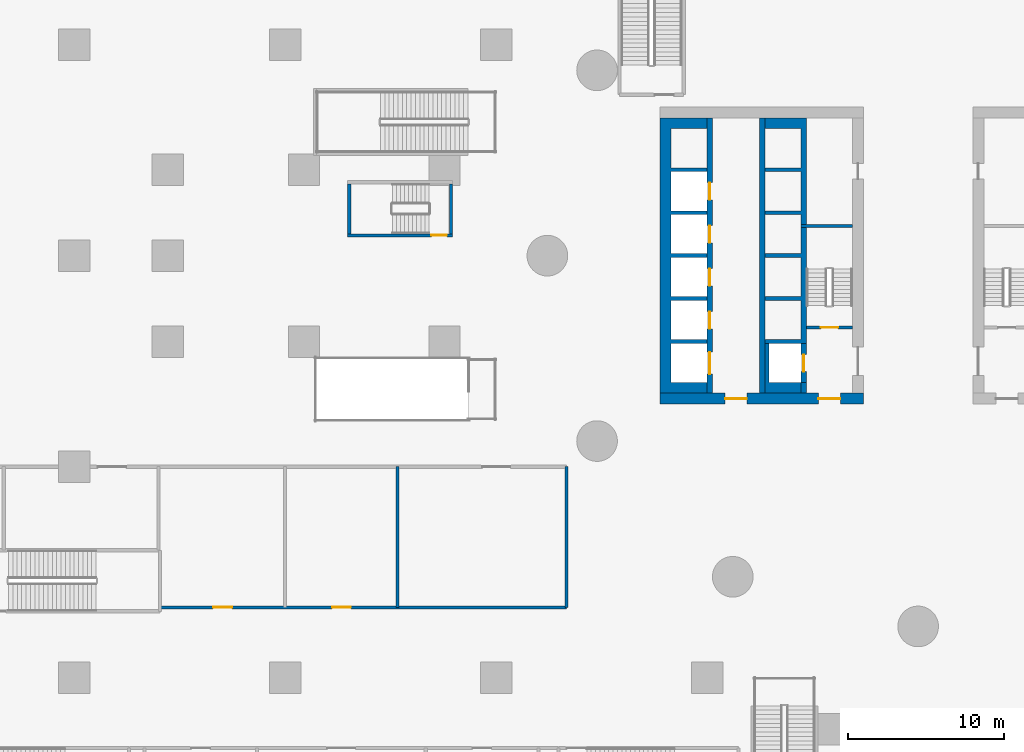
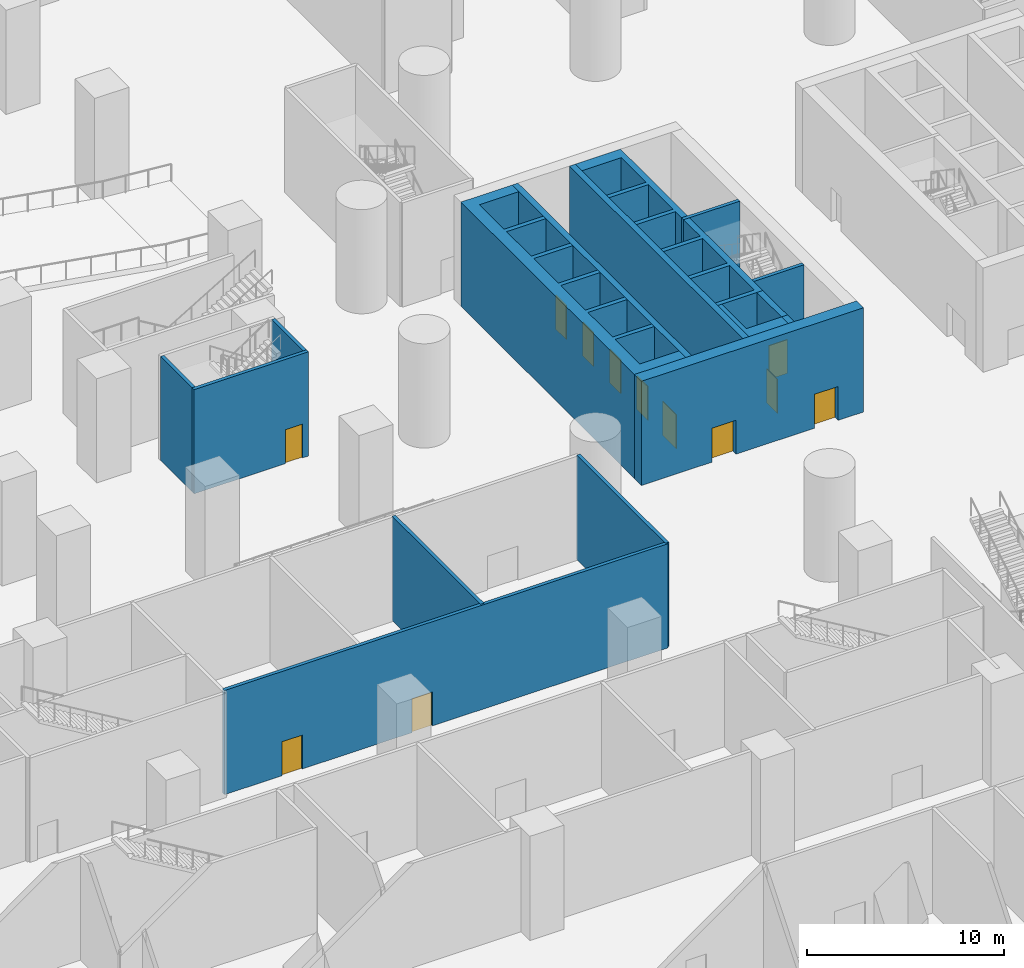
# One storey, part 5 of 37: 16 walls, 12 doors, 12 openings.
"""IFC4 building model written with IfcOpenShell, lengths in metres."""

from ifc_helpers import new_model, si_unit, direction, frame, frame_2d, origin, place, context, subcontext, project, spatial, polyline, rectangle, outline, extrude, material, layer, layer_set, type_object, element, fill, save


model = new_model("IFC4")

# Units and contexts
model_context = context("Model", 3, precision=1e-05, world=origin(), true_north=direction((0.0, 1.0)))
body_context = subcontext(model_context, "Body", "Model", "MODEL_VIEW")
ifc_project = project(units=[si_unit("LENGTHUNIT", "METRE"), si_unit("AREAUNIT", "SQUARE_METRE"), si_unit("VOLUMEUNIT", "CUBIC_METRE"), si_unit("PLANEANGLEUNIT", "RADIAN"), si_unit("MASSUNIT", "GRAM", prefix="KILO")], contexts=[model_context])

# Site, building, storey
site_placement = place(None, origin())
site = spatial("IfcSite", under=ifc_project, at=site_placement, CompositionType="ELEMENT")
building_placement = place(site_placement, origin())
building = spatial("IfcBuilding", under=site, at=building_placement, Name="Tamarind Cross Interchange Tower", CompositionType="ELEMENT")
storey_placement = place(building_placement, frame((0.0, 0.0, -7.0)))
storey = spatial("IfcBuildingStorey", under=building, at=storey_placement, Name="B1", CompositionType="ELEMENT", Elevation=-7.0)

# Wall, openings, doors
ifc_material_1 = material(Name="Concrete C80", Category="concrete")
ifc_layer_1 = layer(ifc_material_1, 0.699951171875)
ifc_layer_set_1 = layer_set([ifc_layer_1], Name="Concrete C80")
wall_type_1 = type_object("IfcWallType", Name="Core wall 700 mm Concrete C80", PredefinedType="SHEAR", material=ifc_layer_set_1)
wall_1_placement = place(storey_placement, frame((-16.5, -9.14990234375, 0.0), z_axis=(0.0, 0.0, 1.0), x_axis=(1.0, 0.0, 0.0)))
wall_1 = element("IfcWall", 1, at=wall_1_placement, inside=storey, type_object=wall_type_1, Name="Core wall CWL-B1-W-S", PredefinedType="SHEAR", context=body_context, shape_type="SweptSolid", body=[
    extrude(rectangle(XDim=13.0, YDim=0.699951171875, at=frame_2d((6.5, 0.0))), origin(), (0.0, 0.0, 1.0), 6.449951171875),
])
opening_1_placement = place(wall_1_placement, frame((4.14990234375, 0.0, 0.0)))
opening_1 = element("IfcOpeningElement", 2, at=opening_1_placement, cuts=wall_1, Name="Opening DCW1", PredefinedType="OPENING", context=body_context, shape_type="SweptSolid", body=[
    extrude(rectangle(XDim=1.39990234375, YDim=2.10009765625, at=frame_2d((0.699951171875, 1.050048828125))), frame((0.0, 0.35986328125, 0.0), z_axis=(0.0, -1.0, 0.0), x_axis=(1.0, 0.0, 0.0)), (0.0, 0.0, 1.0), 0.719970703125),
])
opening_2_placement = place(wall_1_placement, frame((10.125, 0.0, 0.0)))
opening_2 = element("IfcOpeningElement", 3, at=opening_2_placement, cuts=wall_1, Name="Opening DCWF", PredefinedType="OPENING", context=body_context, shape_type="SweptSolid", body=[
    extrude(rectangle(XDim=1.39990234375, YDim=2.10009765625, at=frame_2d((0.699951171875, 1.050048828125))), frame((0.0, 0.35986328125, 0.0), z_axis=(0.0, -1.0, 0.0), x_axis=(1.0, 0.0, 0.0)), (0.0, 0.0, 1.0), 0.719970703125),
])
ifc_material_2 = material(Name="Steel, fire-resisting", Category="steel")
door_type_1 = type_object("IfcDoorType", Name="Core fire door 1400 x 2100 FD90", OperationType="SINGLE_SWING_LEFT", PredefinedType="DOOR", material=ifc_material_2)
door_1_placement = place(opening_1_placement, origin())
door_1 = element("IfcDoor", 4, at=door_1_placement, inside=storey, type_object=door_type_1, Name="B1 lift lobby door", OperationType="SINGLE_SWING_LEFT", OverallHeight=2.10009765625, OverallWidth=1.39990234375, PredefinedType="DOOR", context=body_context, shape_type="SweptSolid", body=[
    extrude(rectangle(XDim=1.39990234375, YDim=2.10009765625, at=frame_2d((0.699951171875, 1.050048828125))), frame((0.0, 0.02490234375, 0.0), z_axis=(0.0, -1.0, 0.0), x_axis=(1.0, 0.0, 0.0)), (0.0, 0.0, 1.0), 0.050048828125),
])
fill(opening_1, door_1)
door_2_placement = place(opening_2_placement, origin())
door_2 = element("IfcDoor", 5, at=door_2_placement, inside=storey, type_object=door_type_1, Name="B1 firefighting lobby end door", OperationType="SINGLE_SWING_LEFT", OverallHeight=2.10009765625, OverallWidth=1.39990234375, PredefinedType="DOOR", context=body_context, shape_type="SweptSolid", body=[
    extrude(rectangle(XDim=1.39990234375, YDim=2.10009765625, at=frame_2d((0.699951171875, 1.050048828125))), frame((0.0, 0.02490234375, 0.0), z_axis=(0.0, -1.0, 0.0), x_axis=(1.0, 0.0, 0.0)), (0.0, 0.0, 1.0), 0.050048828125),
])
fill(opening_2, door_2)

# Walls
wall_2_placement = place(storey_placement, origin())
element("IfcWall", 6, at=wall_2_placement, inside=storey, type_object=wall_type_1, Name="Core wall CWL-B1-W-A", PredefinedType="SHEAR", context=body_context, shape_type="SweptSolid", body=[
    extrude(outline(polyline([(-13.5, -8.800048828125), (-13.5, -8.125), (-15.800048828125, -8.125), (-15.800048828125, -5.625), (-13.5, -5.625), (-13.5, -5.375), (-15.800048828125, -5.375), (-15.800048828125, -2.875), (-13.5, -2.875), (-13.5, -2.625), (-15.800048828125, -2.625), (-15.800048828125, -0.125), (-13.5, -0.125), (-13.5, 0.125), (-15.800048828125, 0.125), (-15.800048828125, 2.625), (-13.5, 2.625), (-13.5, 2.875), (-15.800048828125, 2.875), (-15.800048828125, 5.375), (-13.5, 5.375), (-13.5, 5.625), (-15.800048828125, 5.625), (-15.800048828125, 8.125), (-13.5, 8.125), (-13.5, 8.800048828125), (-15.800048828125, 8.800048828125), (-16.5, 8.800048828125), (-16.5, -8.800048828125), (-15.800048828125, -8.800048828125), (-13.5, -8.800048828125)])), origin(), (0.0, 0.0, 1.0), 6.449951171875),
])
ifc_layer_2 = layer(ifc_material_1, 0.199951171875)
ifc_layer_set_2 = layer_set([ifc_layer_2], Name="Concrete C80")
wall_type_2 = type_object("IfcWallType", Name="Core web wall 200 mm Concrete C80", PredefinedType="SHEAR", material=ifc_layer_set_2)
wall_3_placement = place(storey_placement, frame((-7.5, 1.89990234375, 0.0), z_axis=(0.0, 0.0, 1.0), x_axis=(1.0, 0.0, 0.0)))
element("IfcWall", 7, at=wall_3_placement, inside=storey, type_object=wall_type_2, Name="Core wall CWL-B1-W-BD", PredefinedType="SHEAR", context=body_context, shape_type="SweptSolid", body=[
    extrude(rectangle(XDim=3.300048828125, YDim=0.199951171875, at=frame_2d((1.64990234375, 0.0))), origin(), (0.0, 0.0, 1.0), 6.449951171875),
])
ifc_layer_3 = layer(ifc_material_1, 0.35009765625)
ifc_layer_set_3 = layer_set([ifc_layer_3], Name="Concrete C80")
wall_type_3 = type_object("IfcWallType", Name="Core web wall 350 mm Concrete C80", PredefinedType="SHEAR", material=ifc_layer_set_3)
wall_4_placement = place(storey_placement, origin())
element("IfcWall", 8, at=wall_4_placement, inside=storey, type_object=wall_type_3, Name="Core wall CWL-B1-W-BN", PredefinedType="SHEAR", context=body_context, shape_type="SweptSolid", body=[
    extrude(outline(polyline([(-9.800048828125, -5.375), (-9.800048828125, -5.625), (-7.5, -5.625), (-7.14990234375, -5.625), (-7.14990234375, 8.800048828125), (-7.5, 8.800048828125), (-9.800048828125, 8.800048828125), (-9.800048828125, 8.125), (-7.5, 8.125), (-7.5, 5.625), (-9.800048828125, 5.625), (-9.800048828125, 5.375), (-7.5, 5.375), (-7.5, 2.875), (-9.800048828125, 2.875), (-9.800048828125, 2.625), (-7.5, 2.625), (-7.5, 0.125), (-9.800048828125, 0.125), (-9.800048828125, -0.125), (-7.5, -0.125), (-7.5, -2.625), (-9.800048828125, -2.625), (-9.800048828125, -2.875), (-7.5, -2.875), (-7.5, -5.375), (-9.800048828125, -5.375)])), origin(), (0.0, 0.0, 1.0), 6.449951171875),
])
wall_5_placement = place(storey_placement, origin())
element("IfcWall", 9, at=wall_5_placement, inside=storey, type_object=wall_type_3, Name="Core wall CWL-B1-W-BS", PredefinedType="SHEAR", context=body_context, shape_type="SweptSolid", body=[
    extrude(outline(polyline([(-7.5, -8.125), (-9.550048828125, -8.125), (-9.550048828125, -5.625), (-9.800048828125, -5.625), (-9.800048828125, -8.125), (-9.800048828125, -8.800048828125), (-7.5, -8.800048828125), (-7.5, -8.125)])), origin(), (0.0, 0.0, 1.0), 6.449951171875),
])
wall_6_placement = place(storey_placement, frame((-7.324951171875, -8.800048828125, 0.0), z_axis=(0.0, 0.0, 1.0), x_axis=(0.0, 1.0, 0.0)))
element("IfcWall", 10, at=wall_6_placement, inside=storey, type_object=wall_type_3, Name="Core wall CWL-B1-W-BW", PredefinedType="SHEAR", context=body_context, shape_type="SweptSolid", body=[
    extrude(rectangle(XDim=0.675048828125, YDim=0.35009765625, at=frame_2d((0.33740234375, 0.0))), origin(), (0.0, 0.0, 1.0), 6.449951171875),
])

# Wall, openings, doors
wall_7_placement = place(storey_placement, frame((-13.324951171875, -8.800048828125, 0.0), z_axis=(0.0, 0.0, 1.0), x_axis=(0.0, 1.0, 0.0)))
wall_7 = element("IfcWall", 11, at=wall_7_placement, inside=storey, type_object=wall_type_3, Name="Core wall CWL-B1-W-LA", PredefinedType="SHEAR", context=body_context, shape_type="SweptSolid", body=[
    extrude(rectangle(XDim=17.60009765625, YDim=0.35009765625, at=frame_2d((8.800048828125, 0.0))), origin(), (0.0, 0.0, 1.0), 6.449951171875),
])
opening_3_placement = place(wall_7_placement, frame((1.22509765625, 0.0, 0.0)))
opening_3 = element("IfcOpeningElement", 12, at=opening_3_placement, cuts=wall_7, Name="Opening LD1B1", PredefinedType="OPENING", context=body_context, shape_type="SweptSolid", body=[
    extrude(rectangle(XDim=1.39990234375, YDim=2.10009765625, at=frame_2d((0.699951171875, 1.050048828125))), frame((0.0, 0.18505859375, 0.0), z_axis=(0.0, -1.0, 0.0), x_axis=(1.0, 0.0, 0.0)), (0.0, 0.0, 1.0), 0.3701171875),
])
opening_4_placement = place(wall_7_placement, frame((4.125, 0.0, 0.0)))
opening_4 = element("IfcOpeningElement", 13, at=opening_4_placement, cuts=wall_7, Name="Opening LD2B1", PredefinedType="OPENING", context=body_context, shape_type="SweptSolid", body=[
    extrude(rectangle(XDim=1.10009765625, YDim=2.10009765625, at=frame_2d((0.550048828125, 1.050048828125))), frame((0.0, 0.18505859375, 0.0), z_axis=(0.0, -1.0, 0.0), x_axis=(1.0, 0.0, 0.0)), (0.0, 0.0, 1.0), 0.3701171875),
])
opening_5_placement = place(wall_7_placement, frame((6.875, 0.0, 0.0)))
opening_5 = element("IfcOpeningElement", 14, at=opening_5_placement, cuts=wall_7, Name="Opening LD3B1", PredefinedType="OPENING", context=body_context, shape_type="SweptSolid", body=[
    extrude(rectangle(XDim=1.10009765625, YDim=2.10009765625, at=frame_2d((0.550048828125, 1.050048828125))), frame((0.0, 0.18505859375, 0.0), z_axis=(0.0, -1.0, 0.0), x_axis=(1.0, 0.0, 0.0)), (0.0, 0.0, 1.0), 0.3701171875),
])
opening_6_placement = place(wall_7_placement, frame((9.625, 0.0, 0.0)))
opening_6 = element("IfcOpeningElement", 15, at=opening_6_placement, cuts=wall_7, Name="Opening LD4B1", PredefinedType="OPENING", context=body_context, shape_type="SweptSolid", body=[
    extrude(rectangle(XDim=1.10009765625, YDim=2.10009765625, at=frame_2d((0.550048828125, 1.050048828125))), frame((0.0, 0.18505859375, 0.0), z_axis=(0.0, -1.0, 0.0), x_axis=(1.0, 0.0, 0.0)), (0.0, 0.0, 1.0), 0.3701171875),
])
opening_7_placement = place(wall_7_placement, frame((12.375, 0.0, 0.0)))
opening_7 = element("IfcOpeningElement", 16, at=opening_7_placement, cuts=wall_7, Name="Opening LD5B1", PredefinedType="OPENING", context=body_context, shape_type="SweptSolid", body=[
    extrude(rectangle(XDim=1.10009765625, YDim=2.10009765625, at=frame_2d((0.550048828125, 1.050048828125))), frame((0.0, 0.18505859375, 0.0), z_axis=(0.0, -1.0, 0.0), x_axis=(1.0, 0.0, 0.0)), (0.0, 0.0, 1.0), 0.3701171875),
])
ifc_material_3 = material(Name="Stainless steel panel", Category="steel")
door_type_2 = type_object("IfcDoorType", Name="Lift landing door 1100 x 2100 E 120", OperationType="SLIDING_TO_LEFT", PredefinedType="DOOR", material=ifc_material_3)
door_3_placement = place(opening_4_placement, origin())
door_3 = element("IfcDoor", 17, at=door_3_placement, inside=storey, type_object=door_type_2, Name="B1 landing door LF2", OperationType="SLIDING_TO_LEFT", OverallHeight=2.10009765625, OverallWidth=1.10009765625, PredefinedType="DOOR", context=body_context, shape_type="SweptSolid", body=[
    extrude(rectangle(XDim=1.10009765625, YDim=2.10009765625, at=frame_2d((0.550048828125, 1.050048828125))), frame((0.0, 0.02490234375, 0.0), z_axis=(0.0, -1.0, 0.0), x_axis=(1.0, 0.0, 0.0)), (0.0, 0.0, 1.0), 0.050048828125),
])
fill(opening_4, door_3)
door_4_placement = place(opening_5_placement, origin())
door_4 = element("IfcDoor", 18, at=door_4_placement, inside=storey, type_object=door_type_2, Name="B1 landing door LF3", OperationType="SLIDING_TO_LEFT", OverallHeight=2.10009765625, OverallWidth=1.10009765625, PredefinedType="DOOR", context=body_context, shape_type="SweptSolid", body=[
    extrude(rectangle(XDim=1.10009765625, YDim=2.10009765625, at=frame_2d((0.550048828125, 1.050048828125))), frame((0.0, 0.02490234375, 0.0), z_axis=(0.0, -1.0, 0.0), x_axis=(1.0, 0.0, 0.0)), (0.0, 0.0, 1.0), 0.050048828125),
])
fill(opening_5, door_4)
door_5_placement = place(opening_6_placement, origin())
door_5 = element("IfcDoor", 19, at=door_5_placement, inside=storey, type_object=door_type_2, Name="B1 landing door LF4", OperationType="SLIDING_TO_LEFT", OverallHeight=2.10009765625, OverallWidth=1.10009765625, PredefinedType="DOOR", context=body_context, shape_type="SweptSolid", body=[
    extrude(rectangle(XDim=1.10009765625, YDim=2.10009765625, at=frame_2d((0.550048828125, 1.050048828125))), frame((0.0, 0.02490234375, 0.0), z_axis=(0.0, -1.0, 0.0), x_axis=(1.0, 0.0, 0.0)), (0.0, 0.0, 1.0), 0.050048828125),
])
fill(opening_6, door_5)
door_6_placement = place(opening_7_placement, origin())
door_6 = element("IfcDoor", 20, at=door_6_placement, inside=storey, type_object=door_type_2, Name="B1 landing door LF5", OperationType="SLIDING_TO_LEFT", OverallHeight=2.10009765625, OverallWidth=1.10009765625, PredefinedType="DOOR", context=body_context, shape_type="SweptSolid", body=[
    extrude(rectangle(XDim=1.10009765625, YDim=2.10009765625, at=frame_2d((0.550048828125, 1.050048828125))), frame((0.0, 0.02490234375, 0.0), z_axis=(0.0, -1.0, 0.0), x_axis=(1.0, 0.0, 0.0)), (0.0, 0.0, 1.0), 0.050048828125),
])
fill(opening_7, door_6)
door_type_3 = type_object("IfcDoorType", Name="Lift landing door 1400 x 2100 E 120", OperationType="SLIDING_TO_LEFT", PredefinedType="DOOR", material=ifc_material_3)
door_7_placement = place(opening_3_placement, origin())
door_7 = element("IfcDoor", 21, at=door_7_placement, inside=storey, type_object=door_type_3, Name="B1 landing door LF1", OperationType="SLIDING_TO_LEFT", OverallHeight=2.10009765625, OverallWidth=1.39990234375, PredefinedType="DOOR", context=body_context, shape_type="SweptSolid", body=[
    extrude(rectangle(XDim=1.39990234375, YDim=2.10009765625, at=frame_2d((0.699951171875, 1.050048828125))), frame((0.0, 0.02490234375, 0.0), z_axis=(0.0, -1.0, 0.0), x_axis=(1.0, 0.0, 0.0)), (0.0, 0.0, 1.0), 0.050048828125),
])
fill(opening_3, door_7)

# Wall
wall_8_placement = place(storey_placement, frame((-9.97509765625, -8.800048828125, 0.0), z_axis=(0.0, 0.0, 1.0), x_axis=(0.0, 1.0, 0.0)))
element("IfcWall", 22, at=wall_8_placement, inside=storey, type_object=wall_type_3, Name="Core wall CWL-B1-W-LB", PredefinedType="SHEAR", context=body_context, shape_type="SweptSolid", body=[
    extrude(rectangle(XDim=17.60009765625, YDim=0.35009765625, at=frame_2d((8.800048828125, 0.0))), origin(), (0.0, 0.0, 1.0), 6.449951171875),
])

# Wall, opening, door
wall_9_placement = place(storey_placement, frame((-7.324951171875, -8.125, 0.0), z_axis=(0.0, 0.0, 1.0), x_axis=(0.0, 1.0, 0.0)))
wall_9 = element("IfcWall", 23, at=wall_9_placement, inside=storey, type_object=wall_type_3, Name="Core wall CWL-B1-W-FF", PredefinedType="SHEAR", context=body_context, shape_type="SweptSolid", body=[
    extrude(rectangle(XDim=2.5, YDim=0.35009765625, at=frame_2d((1.25, 0.0))), origin(), (0.0, 0.0, 1.0), 6.449951171875),
])
opening_8_placement = place(wall_9_placement, frame((0.699951171875, 0.0, 0.0)))
opening_8 = element("IfcOpeningElement", 24, at=opening_8_placement, cuts=wall_9, Name="Opening LD7B1", PredefinedType="OPENING", context=body_context, shape_type="SweptSolid", body=[
    extrude(rectangle(XDim=1.10009765625, YDim=2.10009765625, at=frame_2d((0.550048828125, 1.050048828125))), frame((0.0, 0.18505859375, 0.0), z_axis=(0.0, -1.0, 0.0), x_axis=(1.0, 0.0, 0.0)), (0.0, 0.0, 1.0), 0.3701171875),
])
door_8_placement = place(opening_8_placement, origin())
door_8 = element("IfcDoor", 25, at=door_8_placement, inside=storey, type_object=door_type_2, Name="B1 landing door LF7", OperationType="SLIDING_TO_LEFT", OverallHeight=2.10009765625, OverallWidth=1.10009765625, PredefinedType="DOOR", context=body_context, shape_type="SweptSolid", body=[
    extrude(rectangle(XDim=1.10009765625, YDim=2.10009765625, at=frame_2d((0.550048828125, 1.050048828125))), frame((0.0, 0.02490234375, 0.0), z_axis=(0.0, -1.0, 0.0), x_axis=(1.0, 0.0, 0.0)), (0.0, 0.0, 1.0), 0.050048828125),
])
fill(opening_8, door_8)

# Wall, openings, doors
ifc_material_4 = material(Name="Masonry partition, fire-rated", Category="masonry")
ifc_layer_4 = layer(ifc_material_4, 0.199951171875)
ifc_layer_set_4 = layer_set([ifc_layer_4], Name="Masonry partition, fire-rated")
wall_type_4 = type_object("IfcWallType", Name="Fire partition 200 EI 120", PredefinedType="PARTITIONING", material=ifc_layer_set_4)
wall_10_placement = place(storey_placement, frame((-48.469970703125, -22.5, 0.0), z_axis=(0.0, 0.0, 1.0), x_axis=(1.0, 0.0, 0.0)))
wall_10 = element("IfcWall", 26, at=wall_10_placement, inside=storey, type_object=wall_type_4, Name="B1 partition 73", PredefinedType="PARTITIONING", context=body_context, shape_type="SweptSolid", body=[
    extrude(rectangle(XDim=25.969970703125, YDim=0.199951171875, at=frame_2d((12.98486328125, 0.0))), origin(), (0.0, 0.0, 1.0), 6.449951171875),
])
opening_9_placement = place(wall_10_placement, frame((10.97998046875, 0.0, 0.0)))
opening_9 = element("IfcOpeningElement", 27, at=opening_9_placement, cuts=wall_10, Name="Opening DB1-36", PredefinedType="OPENING", context=body_context, shape_type="SweptSolid", body=[
    extrude(rectangle(XDim=1.199951171875, YDim=2.10009765625, at=frame_2d((0.60009765625, 1.050048828125))), frame((0.0, 0.10986328125, 0.0), z_axis=(0.0, -1.0, 0.0), x_axis=(1.0, 0.0, 0.0)), (0.0, 0.0, 1.0), 0.219970703125),
])
opening_10_placement = place(wall_10_placement, frame((3.3701171875, 0.0, 0.0)))
opening_10 = element("IfcOpeningElement", 28, at=opening_10_placement, cuts=wall_10, Name="Opening DB1-38", PredefinedType="OPENING", context=body_context, shape_type="SweptSolid", body=[
    extrude(rectangle(XDim=1.199951171875, YDim=2.10009765625, at=frame_2d((0.60009765625, 1.050048828125))), frame((0.0, 0.10986328125, 0.0), z_axis=(0.0, -1.0, 0.0), x_axis=(1.0, 0.0, 0.0)), (0.0, 0.0, 1.0), 0.219970703125),
])
door_type_4 = type_object("IfcDoorType", Name="Podium door 1200 x 2100 FD60", OperationType="SINGLE_SWING_LEFT", PredefinedType="DOOR", material=ifc_material_2)
door_9_placement = place(opening_9_placement, origin())
door_9 = element("IfcDoor", 29, at=door_9_placement, inside=storey, type_object=door_type_4, Name="B1 door Tenant Store B118", OperationType="SINGLE_SWING_RIGHT", OverallHeight=2.10009765625, OverallWidth=1.199951171875, PredefinedType="DOOR", context=body_context, shape_type="SweptSolid", body=[
    extrude(rectangle(XDim=1.199951171875, YDim=2.10009765625, at=frame_2d((0.60009765625, 1.050048828125))), frame((0.0, 0.02490234375, 0.0), z_axis=(0.0, -1.0, 0.0), x_axis=(1.0, 0.0, 0.0)), (0.0, 0.0, 1.0), 0.050048828125),
])
fill(opening_9, door_9)
door_10_placement = place(opening_10_placement, origin())
door_10 = element("IfcDoor", 30, at=door_10_placement, inside=storey, type_object=door_type_4, Name="B1 door Tenant Store B120", OperationType="SINGLE_SWING_RIGHT", OverallHeight=2.10009765625, OverallWidth=1.199951171875, PredefinedType="DOOR", context=body_context, shape_type="SweptSolid", body=[
    extrude(rectangle(XDim=1.199951171875, YDim=2.10009765625, at=frame_2d((0.60009765625, 1.050048828125))), frame((0.0, 0.02490234375, 0.0), z_axis=(0.0, -1.0, 0.0), x_axis=(1.0, 0.0, 0.0)), (0.0, 0.0, 1.0), 0.050048828125),
])
fill(opening_10, door_10)

# Walls
for number, where, z_axis, x_axis, name in (
    (31, (-22.5, -22.5, 0.0), (0.0, 0.0, 1.0), (0.0, 1.0, 0.0), "B1 partition 77"),
    (32, (-33.300048828125, -22.5, 0.0), (0.0, 0.0, 1.0), (0.0, 1.0, 0.0), "B1 partition 78"),
):
    element("IfcWall", number, at=place(storey_placement, frame(where, z_axis=z_axis, x_axis=x_axis)), inside=storey, type_object=wall_type_4, Name=name, PredefinedType="PARTITIONING", context=body_context, shape_type="SweptSolid", body=[
        extrude(rectangle(XDim=9.0, YDim=0.199951171875, at=frame_2d((4.5, 0.0))), origin(), (0.0, 0.0, 1.0), 6.449951171875),
    ])

# Wall, opening, door
ifc_material_5 = material(Name="Concrete C40", Category="concrete")
ifc_layer_5 = layer(ifc_material_5, 0.199951171875)
ifc_layer_set_5 = layer_set([ifc_layer_5], Name="Concrete C40")
wall_type_5 = type_object("IfcWallType", Name="Stair shaft wall 200 mm Concrete C40", PredefinedType="SHEAR", material=ifc_layer_set_5)
wall_11_placement = place(storey_placement, frame((-7.14990234375, -4.60009765625, 0.0), z_axis=(0.0, 0.0, 1.0), x_axis=(1.0, 0.0, 0.0)))
wall_11 = element("IfcWall", 33, at=wall_11_placement, inside=storey, type_object=wall_type_5, Name="Core wall CWL-B1-W-SD", PredefinedType="SHEAR", context=body_context, shape_type="SweptSolid", body=[
    extrude(rectangle(XDim=2.949951171875, YDim=0.199951171875, at=frame_2d((1.47509765625, 0.0))), origin(), (0.0, 0.0, 1.0), 6.449951171875),
])
opening_11_placement = place(wall_11_placement, frame((0.925048828125, 0.0, 0.0)))
opening_11 = element("IfcOpeningElement", 34, at=opening_11_placement, cuts=wall_11, Name="Opening DCW6", PredefinedType="OPENING", context=body_context, shape_type="SweptSolid", body=[
    extrude(rectangle(XDim=1.10009765625, YDim=2.10009765625, at=frame_2d((0.550048828125, 1.050048828125))), frame((0.0, 0.10986328125, 0.0), z_axis=(0.0, -1.0, 0.0), x_axis=(1.0, 0.0, 0.0)), (0.0, 0.0, 1.0), 0.219970703125),
])
door_type_5 = type_object("IfcDoorType", Name="Core fire door 1100 x 2100 FD90", OperationType="SINGLE_SWING_LEFT", PredefinedType="DOOR", material=ifc_material_2)
door_11_placement = place(opening_11_placement, origin())
door_11 = element("IfcDoor", 35, at=door_11_placement, inside=storey, type_object=door_type_5, Name="B1 stair door", OperationType="SINGLE_SWING_LEFT", OverallHeight=2.10009765625, OverallWidth=1.10009765625, PredefinedType="DOOR", context=body_context, shape_type="SweptSolid", body=[
    extrude(rectangle(XDim=1.10009765625, YDim=2.10009765625, at=frame_2d((0.550048828125, 1.050048828125))), frame((0.0, 0.02490234375, 0.0), z_axis=(0.0, -1.0, 0.0), x_axis=(1.0, 0.0, 0.0)), (0.0, 0.0, 1.0), 0.050048828125),
])
fill(opening_11, door_11)

wall_12_placement = place(storey_placement, frame((-29.800048828125, 1.300048828125, 0.0), z_axis=(0.0, 0.0, 1.0), x_axis=(-1.0, 0.0, 0.0)))
wall_12 = element("IfcWall", 36, at=wall_12_placement, inside=storey, type_object=wall_type_5, Name="Core wall CWL-B1-ST5-H", PredefinedType="SHEAR", context=body_context, shape_type="SweptSolid", body=[
    extrude(rectangle(XDim=6.699951171875, YDim=0.199951171875, at=frame_2d((3.35009765625, 0.0))), origin(), (0.0, 0.0, 1.0), 6.449951171875),
])
opening_12_placement = place(wall_12_placement, frame((0.35009765625, 0.0, 0.0)))
opening_12 = element("IfcOpeningElement", 37, at=opening_12_placement, cuts=wall_12, Name="Opening ST5B1", PredefinedType="OPENING", context=body_context, shape_type="SweptSolid", body=[
    extrude(rectangle(XDim=1.0, YDim=2.10009765625, at=frame_2d((0.5, 1.050048828125))), frame((0.0, 0.10986328125, 0.0), z_axis=(0.0, -1.0, 0.0), x_axis=(1.0, 0.0, 0.0)), (0.0, 0.0, 1.0), 0.219970703125),
])
door_type_6 = type_object("IfcDoorType", Name="Core fire door 1000 x 2100 FD90", OperationType="SINGLE_SWING_LEFT", PredefinedType="DOOR", material=ifc_material_2)
door_12_placement = place(opening_12_placement, origin())
door_12 = element("IfcDoor", 38, at=door_12_placement, inside=storey, type_object=door_type_6, Name="B1 stair door ST5", OperationType="SINGLE_SWING_LEFT", OverallHeight=2.10009765625, OverallWidth=1.0, PredefinedType="DOOR", context=body_context, shape_type="SweptSolid", body=[
    extrude(rectangle(XDim=1.0, YDim=2.10009765625, at=frame_2d((0.5, 1.050048828125))), frame((0.0, 0.02490234375, 0.0), z_axis=(0.0, -1.0, 0.0), x_axis=(1.0, 0.0, 0.0)), (0.0, 0.0, 1.0), 0.050048828125),
])
fill(opening_12, door_12)

# Walls
wall_13_placement = place(storey_placement, frame((-29.89990234375, 4.60009765625, 0.0), z_axis=(0.0, 0.0, 1.0), x_axis=(0.0, -1.0, 0.0)))
element("IfcWall", 39, at=wall_13_placement, inside=storey, type_object=wall_type_5, Name="Core wall CWL-B1-ST5-CE", PredefinedType="SHEAR", context=body_context, shape_type="SweptSolid", body=[
    extrude(rectangle(XDim=3.2001953125, YDim=0.199951171875, at=frame_2d((1.60009765625, 0.0))), origin(), (0.0, 0.0, 1.0), 6.449951171875),
])
wall_14_placement = place(storey_placement, origin())
element("IfcWall", 40, at=wall_14_placement, inside=storey, type_object=wall_type_5, Name="Core wall CWL-B1-ST5-CF", PredefinedType="SHEAR", context=body_context, shape_type="SweptSolid", body=[
    extrude(outline(polyline([(-36.300048828125, 4.60009765625), (-36.5, 4.60009765625), (-36.5, 1.39990234375), (-36.300048828125, 1.39990234375), (-36.300048828125, 4.60009765625)])), origin(), (0.0, 0.0, 1.0), 6.449951171875),
])

save(model, "model.ifc")
